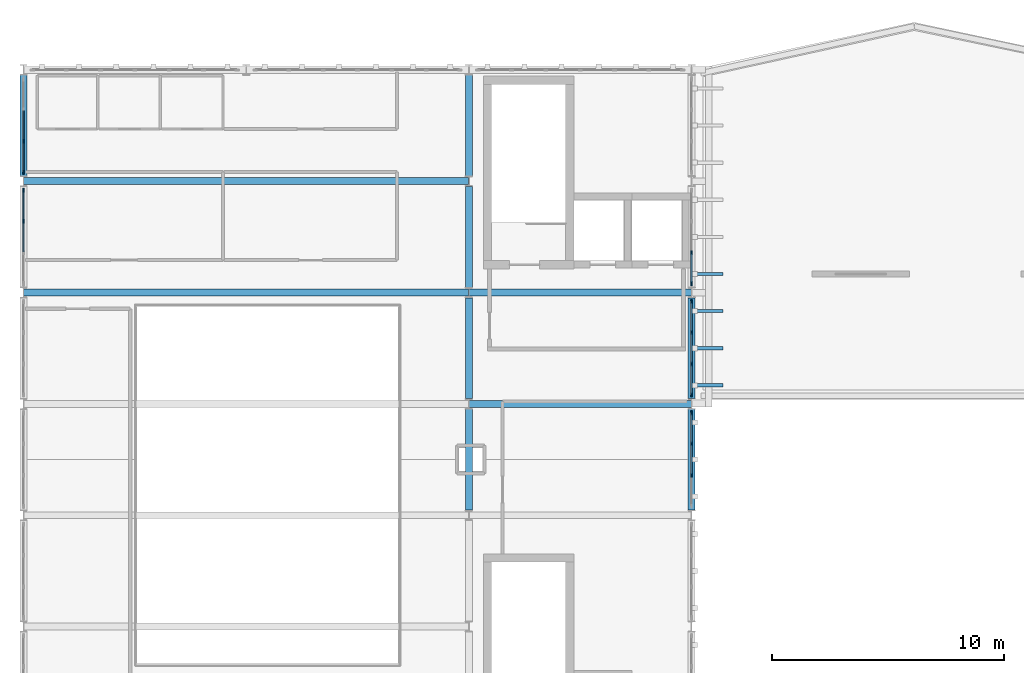
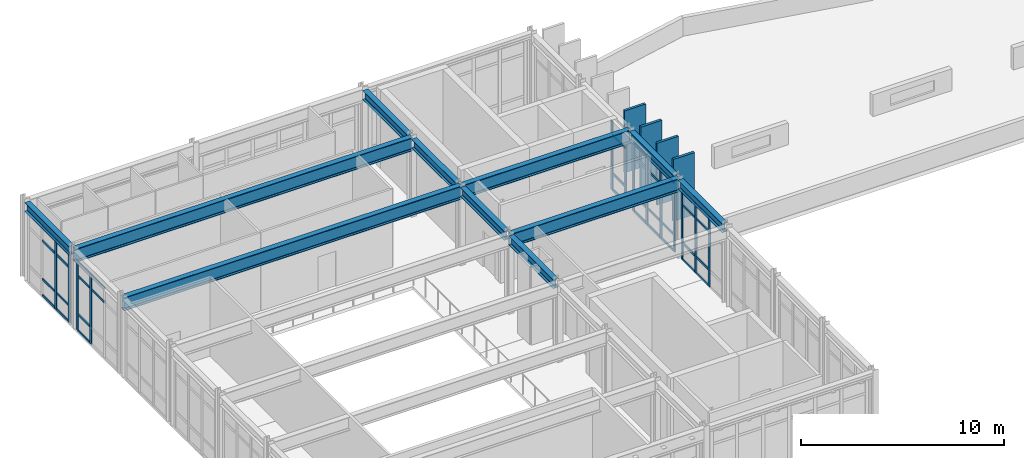
# One storey, part 6 of 16: 54 members, 11 beams, 5 elements without a shape of their own.
"""IFC4 building model written with IfcOpenShell, lengths in metres."""

from ifc_helpers import new_model, si_unit, direction, frame, origin, origin_2d, place, context, subcontext, project, spatial, rectangle, i_section, extrude, material, layer, layer_set, material_profile, profile_set, type_object, element, aggregate, save


model = new_model("IFC4")

# Units and contexts
model_context = context("Model", 3, precision=1e-05, world=origin(), true_north=direction((0.0, 1.0)))
body_context = subcontext(model_context, "Body", "Model", "MODEL_VIEW")
ifc_project = project(units=[si_unit("LENGTHUNIT", "METRE"), si_unit("AREAUNIT", "SQUARE_METRE"), si_unit("VOLUMEUNIT", "CUBIC_METRE"), si_unit("PLANEANGLEUNIT", "RADIAN"), si_unit("MASSUNIT", "GRAM", prefix="KILO")], contexts=[model_context])

# Site, building, storey
site_placement = place(None, origin())
site = spatial("IfcSite", under=ifc_project, at=site_placement, CompositionType="ELEMENT")
building_placement = place(site_placement, origin())
building = spatial("IfcBuilding", under=site, at=building_placement, Name="Nordkorset Police Headquarters", CompositionType="ELEMENT")
storey_placement = place(building_placement, frame((0.0, 0.0, 31.14990234375)))
storey = spatial("IfcBuildingStorey", under=building, at=storey_placement, Name="L07", CompositionType="ELEMENT", Elevation=31.14990234375)

# Curtain wall, members
ifc_material_1 = material(Name="Aluminium alloy AW-6060", Category="aluminium")
ifc_layer = layer(ifc_material_1, 0.179931640625, Name="Aluminium alloy AW-6060")
ifc_layer_set = layer_set([ifc_layer], Name="Aluminium alloy AW-6060")
curtain_wall_type = type_object("IfcCurtainWallType", Name="CW_Unit_408x415", PredefinedType="USERDEFINED", material=ifc_layer_set)
curtain_wall_1_placement = place(storey_placement, origin())
curtain_wall_1 = element("IfcCurtainWall", 1, at=curtain_wall_1_placement, inside=storey, type_object=curtain_wall_type, Name="Unitised Curtain Wall L07 V1W-5", ObjectType="UNITISED CURTAIN WALL", PredefinedType="USERDEFINED")
ifc_material_2 = material(Name="Aluminium alloy AW-6060", Category="aluminium")
ifc_material_profile_1 = material_profile(ifc_material_2, rectangle(XDim=0.06494140625, YDim=0.179931640625, at=origin_2d()), Name="ALU MULL 65x180")
ifc_profile_set_1 = profile_set([ifc_material_profile_1], Name="Aluminium alloy AW-6060")
member_type_1 = type_object("IfcMemberType", Name="CW_Mullion_65x180", PredefinedType="MULLION", material=ifc_profile_set_1)
member_1_placement = place(storey_placement, frame((0.0, 110.280029296875, 0.0), z_axis=(0.0, 0.0, 1.0), x_axis=(-1.0, 0.0, 0.0)))
member_1 = element("IfcMember", 2, at=member_1_placement, type_object=member_type_1, Name="CW-101 mullion 3", PredefinedType="MULLION", context=body_context, shape_type="SweptSolid", body=[
    extrude(rectangle(XDim=0.06494140625, YDim=0.179931640625, at=origin_2d()), origin(), (0.0, 0.0, 1.0), 4.150146484375),
])
member_2_placement = place(storey_placement, frame((0.0, 111.607421875, 0.0), z_axis=(0.0, 0.0, 1.0), x_axis=(-1.0, 0.0, 0.0)))
member_2 = element("IfcMember", 3, at=member_2_placement, type_object=member_type_1, Name="CW-101 mullion 4", PredefinedType="MULLION", context=body_context, shape_type="SweptSolid", body=[
    extrude(rectangle(XDim=0.06494140625, YDim=0.179931640625, at=origin_2d()), origin(), (0.0, 0.0, 1.0), 4.150146484375),
])

curtain_wall_2_placement = place(storey_placement, origin())
curtain_wall_2 = element("IfcCurtainWall", 4, at=curtain_wall_2_placement, inside=storey, type_object=curtain_wall_type, Name="Unitised Curtain Wall L07 V1W-6", ObjectType="UNITISED CURTAIN WALL", PredefinedType="USERDEFINED")
member_3_placement = place(storey_placement, frame((0.0, 112.392578125, 0.0), z_axis=(0.0, 0.0, 1.0), x_axis=(-1.0, 0.0, 0.0)))
member_3 = element("IfcMember", 5, at=member_3_placement, type_object=member_type_1, Name="CW-101 mullion 1", PredefinedType="MULLION", context=body_context, shape_type="SweptSolid", body=[
    extrude(rectangle(XDim=0.06494140625, YDim=0.179931640625, at=origin_2d()), origin(), (0.0, 0.0, 1.0), 4.150146484375),
])
member_4_placement = place(storey_placement, frame((0.0, 113.719970703125, 0.0), z_axis=(0.0, 0.0, 1.0), x_axis=(-1.0, 0.0, 0.0)))
member_4 = element("IfcMember", 6, at=member_4_placement, type_object=member_type_1, Name="CW-101 mullion 2", PredefinedType="MULLION", context=body_context, shape_type="SweptSolid", body=[
    extrude(rectangle(XDim=0.06494140625, YDim=0.179931640625, at=origin_2d()), origin(), (0.0, 0.0, 1.0), 4.150146484375),
])

curtain_wall_3_placement = place(storey_placement, origin())
curtain_wall_3 = element("IfcCurtainWall", 7, at=curtain_wall_3_placement, inside=storey, type_object=curtain_wall_type, Name="Unitised Curtain Wall L07 V1E-3", ObjectType="UNITISED CURTAIN WALL", PredefinedType="USERDEFINED")
member_5_placement = place(storey_placement, frame((28.800048828125, 99.320068359375, 0.0), z_axis=(0.0, 0.0, 1.0), x_axis=(-1.0, 0.0, 0.0)))
member_5 = element("IfcMember", 8, at=member_5_placement, type_object=member_type_1, Name="CW-101 mullion 2", PredefinedType="MULLION", context=body_context, shape_type="SweptSolid", body=[
    extrude(rectangle(XDim=0.06494140625, YDim=0.179931640625, at=origin_2d()), origin(), (0.0, 0.0, 1.0), 4.150146484375),
])
member_6_placement = place(storey_placement, frame((28.800048828125, 100.679931640625, 0.0), z_axis=(0.0, 0.0, 1.0), x_axis=(-1.0, 0.0, 0.0)))
member_6 = element("IfcMember", 9, at=member_6_placement, type_object=member_type_1, Name="CW-101 mullion 3", PredefinedType="MULLION", context=body_context, shape_type="SweptSolid", body=[
    extrude(rectangle(XDim=0.06494140625, YDim=0.179931640625, at=origin_2d()), origin(), (0.0, 0.0, 1.0), 4.150146484375),
])
member_7_placement = place(storey_placement, frame((28.800048828125, 102.007568359375, 0.0), z_axis=(0.0, 0.0, 1.0), x_axis=(-1.0, 0.0, 0.0)))
member_7 = element("IfcMember", 10, at=member_7_placement, type_object=member_type_1, Name="CW-101 mullion 4", PredefinedType="MULLION", context=body_context, shape_type="SweptSolid", body=[
    extrude(rectangle(XDim=0.06494140625, YDim=0.179931640625, at=origin_2d()), origin(), (0.0, 0.0, 1.0), 4.150146484375),
])

curtain_wall_4_placement = place(storey_placement, origin())
curtain_wall_4 = element("IfcCurtainWall", 11, at=curtain_wall_4_placement, inside=storey, type_object=curtain_wall_type, Name="Unitised Curtain Wall L07 V1E-4", ObjectType="UNITISED CURTAIN WALL", PredefinedType="USERDEFINED")
member_8_placement = place(storey_placement, frame((28.800048828125, 102.79248046875, 0.0), z_axis=(0.0, 0.0, 1.0), x_axis=(-1.0, 0.0, 0.0)))
member_8 = element("IfcMember", 12, at=member_8_placement, type_object=member_type_1, Name="CW-101 mullion 1", PredefinedType="MULLION", context=body_context, shape_type="SweptSolid", body=[
    extrude(rectangle(XDim=0.06494140625, YDim=0.179931640625, at=origin_2d()), origin(), (0.0, 0.0, 1.0), 4.150146484375),
])
member_9_placement = place(storey_placement, frame((28.800048828125, 104.1201171875, 0.0), z_axis=(0.0, 0.0, 1.0), x_axis=(-1.0, 0.0, 0.0)))
member_9 = element("IfcMember", 13, at=member_9_placement, type_object=member_type_1, Name="CW-101 mullion 2", PredefinedType="MULLION", context=body_context, shape_type="SweptSolid", body=[
    extrude(rectangle(XDim=0.06494140625, YDim=0.179931640625, at=origin_2d()), origin(), (0.0, 0.0, 1.0), 4.150146484375),
])
member_10_placement = place(storey_placement, frame((28.800048828125, 105.47998046875, 0.0), z_axis=(0.0, 0.0, 1.0), x_axis=(-1.0, 0.0, 0.0)))
member_10 = element("IfcMember", 14, at=member_10_placement, type_object=member_type_1, Name="CW-101 mullion 3", PredefinedType="MULLION", context=body_context, shape_type="SweptSolid", body=[
    extrude(rectangle(XDim=0.06494140625, YDim=0.179931640625, at=origin_2d()), origin(), (0.0, 0.0, 1.0), 4.150146484375),
])
member_11_placement = place(storey_placement, frame((28.800048828125, 106.8076171875, 0.0), z_axis=(0.0, 0.0, 1.0), x_axis=(-1.0, 0.0, 0.0)))
member_11 = element("IfcMember", 15, at=member_11_placement, type_object=member_type_1, Name="CW-101 mullion 4", PredefinedType="MULLION", context=body_context, shape_type="SweptSolid", body=[
    extrude(rectangle(XDim=0.06494140625, YDim=0.179931640625, at=origin_2d()), origin(), (0.0, 0.0, 1.0), 4.150146484375),
])

curtain_wall_5_placement = place(storey_placement, origin())
curtain_wall_5 = element("IfcCurtainWall", 16, at=curtain_wall_5_placement, inside=storey, type_object=curtain_wall_type, Name="Unitised Curtain Wall L07 V1E-5", ObjectType="UNITISED CURTAIN WALL", PredefinedType="USERDEFINED")
member_12_placement = place(storey_placement, frame((28.800048828125, 107.592529296875, 0.0), z_axis=(0.0, 0.0, 1.0), x_axis=(-1.0, 0.0, 0.0)))
member_12 = element("IfcMember", 17, at=member_12_placement, type_object=member_type_1, Name="CW-101 mullion 1", PredefinedType="MULLION", context=body_context, shape_type="SweptSolid", body=[
    extrude(rectangle(XDim=0.06494140625, YDim=0.179931640625, at=origin_2d()), origin(), (0.0, 0.0, 1.0), 4.150146484375),
])
member_13_placement = place(storey_placement, frame((28.800048828125, 108.919921875, 0.0), z_axis=(0.0, 0.0, 1.0), x_axis=(-1.0, 0.0, 0.0)))
member_13 = element("IfcMember", 18, at=member_13_placement, type_object=member_type_1, Name="CW-101 mullion 2", PredefinedType="MULLION", context=body_context, shape_type="SweptSolid", body=[
    extrude(rectangle(XDim=0.06494140625, YDim=0.179931640625, at=origin_2d()), origin(), (0.0, 0.0, 1.0), 4.150146484375),
])

# Member
ifc_material_3 = material(Name="Aluminium alloy AW-6060", Category="aluminium")
ifc_material_profile_2 = material_profile(ifc_material_3, rectangle(XDim=0.06494140625, YDim=0.139892578125, at=origin_2d()), Name="ALU TRAN 65x140")
ifc_profile_set_2 = profile_set([ifc_material_profile_2], Name="Aluminium alloy AW-6060")
member_type_2 = type_object("IfcMemberType", Name="CW_Transom_65x140", PredefinedType="USERDEFINED", material=ifc_profile_set_2)
member_14_placement = place(storey_placement, frame((0.0, 108.952392578125, 3.300048828125), z_axis=(0.0, 1.0, 0.0), x_axis=(-1.0, 0.0, 0.0)))
member_14 = element("IfcMember", 19, at=member_14_placement, type_object=member_type_2, Name="CW-101 transom 2.3", ObjectType="TRANSOM", PredefinedType="USERDEFINED", context=body_context, shape_type="SweptSolid", body=[
    extrude(rectangle(XDim=0.06494140625, YDim=0.139892578125, at=origin_2d()), origin(), (0.0, 0.0, 1.0), 1.295166015625),
])

member_15_placement = place(storey_placement, frame((0.0, 108.952392578125, 4.11767578125), z_axis=(0.0, 1.0, 0.0), x_axis=(-1.0, 0.0, 0.0)))
member_15 = element("IfcMember", 20, at=member_15_placement, type_object=member_type_2, Name="CW-101 transom 2.4", ObjectType="TRANSOM", PredefinedType="USERDEFINED", context=body_context, shape_type="SweptSolid", body=[
    extrude(rectangle(XDim=0.06494140625, YDim=0.139892578125, at=origin_2d()), origin(), (0.0, 0.0, 1.0), 1.295166015625),
])

member_16_placement = place(storey_placement, frame((0.0, 110.3125, 0.03271484375), z_axis=(0.0, 1.0, 0.0), x_axis=(-1.0, 0.0, 0.0)))
member_16 = element("IfcMember", 21, at=member_16_placement, type_object=member_type_2, Name="CW-101 transom 3.1", ObjectType="TRANSOM", PredefinedType="USERDEFINED", context=body_context, shape_type="SweptSolid", body=[
    extrude(rectangle(XDim=0.06494140625, YDim=0.139892578125, at=origin_2d()), origin(), (0.0, 0.0, 1.0), 1.262451171875),
])

member_17_placement = place(storey_placement, frame((0.0, 110.3125, 1.0), z_axis=(0.0, 1.0, 0.0), x_axis=(-1.0, 0.0, 0.0)))
member_17 = element("IfcMember", 22, at=member_17_placement, type_object=member_type_2, Name="CW-101 transom 3.2", ObjectType="TRANSOM", PredefinedType="USERDEFINED", context=body_context, shape_type="SweptSolid", body=[
    extrude(rectangle(XDim=0.06494140625, YDim=0.139892578125, at=origin_2d()), origin(), (0.0, 0.0, 1.0), 1.262451171875),
])

member_18_placement = place(storey_placement, frame((0.0, 110.3125, 3.300048828125), z_axis=(0.0, 1.0, 0.0), x_axis=(-1.0, 0.0, 0.0)))
member_18 = element("IfcMember", 23, at=member_18_placement, type_object=member_type_2, Name="CW-101 transom 3.3", ObjectType="TRANSOM", PredefinedType="USERDEFINED", context=body_context, shape_type="SweptSolid", body=[
    extrude(rectangle(XDim=0.06494140625, YDim=0.139892578125, at=origin_2d()), origin(), (0.0, 0.0, 1.0), 1.262451171875),
])

member_19_placement = place(storey_placement, frame((0.0, 110.3125, 4.11767578125), z_axis=(0.0, 1.0, 0.0), x_axis=(-1.0, 0.0, 0.0)))
member_19 = element("IfcMember", 24, at=member_19_placement, type_object=member_type_2, Name="CW-101 transom 3.4", ObjectType="TRANSOM", PredefinedType="USERDEFINED", context=body_context, shape_type="SweptSolid", body=[
    extrude(rectangle(XDim=0.06494140625, YDim=0.139892578125, at=origin_2d()), origin(), (0.0, 0.0, 1.0), 1.262451171875),
])

aggregate(curtain_wall_1, [member_1, member_2, member_14, member_15, member_16, member_17, member_18, member_19])

member_20_placement = place(storey_placement, frame((0.0, 112.425048828125, 0.03271484375), z_axis=(0.0, 1.0, 0.0), x_axis=(-1.0, 0.0, 0.0)))
member_20 = element("IfcMember", 25, at=member_20_placement, type_object=member_type_2, Name="CW-101 transom 1.1", ObjectType="TRANSOM", PredefinedType="USERDEFINED", context=body_context, shape_type="SweptSolid", body=[
    extrude(rectangle(XDim=0.06494140625, YDim=0.139892578125, at=origin_2d()), origin(), (0.0, 0.0, 1.0), 1.262451171875),
])

member_21_placement = place(storey_placement, frame((0.0, 112.425048828125, 1.0), z_axis=(0.0, 1.0, 0.0), x_axis=(-1.0, 0.0, 0.0)))
member_21 = element("IfcMember", 26, at=member_21_placement, type_object=member_type_2, Name="CW-101 transom 1.2", ObjectType="TRANSOM", PredefinedType="USERDEFINED", context=body_context, shape_type="SweptSolid", body=[
    extrude(rectangle(XDim=0.06494140625, YDim=0.139892578125, at=origin_2d()), origin(), (0.0, 0.0, 1.0), 1.262451171875),
])

member_22_placement = place(storey_placement, frame((0.0, 112.425048828125, 3.300048828125), z_axis=(0.0, 1.0, 0.0), x_axis=(-1.0, 0.0, 0.0)))
member_22 = element("IfcMember", 27, at=member_22_placement, type_object=member_type_2, Name="CW-101 transom 1.3", ObjectType="TRANSOM", PredefinedType="USERDEFINED", context=body_context, shape_type="SweptSolid", body=[
    extrude(rectangle(XDim=0.06494140625, YDim=0.139892578125, at=origin_2d()), origin(), (0.0, 0.0, 1.0), 1.262451171875),
])

member_23_placement = place(storey_placement, frame((0.0, 112.425048828125, 4.11767578125), z_axis=(0.0, 1.0, 0.0), x_axis=(-1.0, 0.0, 0.0)))
member_23 = element("IfcMember", 28, at=member_23_placement, type_object=member_type_2, Name="CW-101 transom 1.4", ObjectType="TRANSOM", PredefinedType="USERDEFINED", context=body_context, shape_type="SweptSolid", body=[
    extrude(rectangle(XDim=0.06494140625, YDim=0.139892578125, at=origin_2d()), origin(), (0.0, 0.0, 1.0), 1.262451171875),
])

member_24_placement = place(storey_placement, frame((0.0, 113.75244140625, 0.03271484375), z_axis=(0.0, 1.0, 0.0), x_axis=(-1.0, 0.0, 0.0)))
member_24 = element("IfcMember", 29, at=member_24_placement, type_object=member_type_2, Name="CW-101 transom 2.1", ObjectType="TRANSOM", PredefinedType="USERDEFINED", context=body_context, shape_type="SweptSolid", body=[
    extrude(rectangle(XDim=0.06494140625, YDim=0.139892578125, at=origin_2d()), origin(), (0.0, 0.0, 1.0), 1.295166015625),
])

member_25_placement = place(storey_placement, frame((0.0, 113.75244140625, 1.0), z_axis=(0.0, 1.0, 0.0), x_axis=(-1.0, 0.0, 0.0)))
member_25 = element("IfcMember", 30, at=member_25_placement, type_object=member_type_2, Name="CW-101 transom 2.2", ObjectType="TRANSOM", PredefinedType="USERDEFINED", context=body_context, shape_type="SweptSolid", body=[
    extrude(rectangle(XDim=0.06494140625, YDim=0.139892578125, at=origin_2d()), origin(), (0.0, 0.0, 1.0), 1.295166015625),
])

member_26_placement = place(storey_placement, frame((0.0, 113.75244140625, 3.300048828125), z_axis=(0.0, 1.0, 0.0), x_axis=(-1.0, 0.0, 0.0)))
member_26 = element("IfcMember", 31, at=member_26_placement, type_object=member_type_2, Name="CW-101 transom 2.3", ObjectType="TRANSOM", PredefinedType="USERDEFINED", context=body_context, shape_type="SweptSolid", body=[
    extrude(rectangle(XDim=0.06494140625, YDim=0.139892578125, at=origin_2d()), origin(), (0.0, 0.0, 1.0), 1.295166015625),
])

member_27_placement = place(storey_placement, frame((0.0, 113.75244140625, 4.11767578125), z_axis=(0.0, 1.0, 0.0), x_axis=(-1.0, 0.0, 0.0)))
member_27 = element("IfcMember", 32, at=member_27_placement, type_object=member_type_2, Name="CW-101 transom 2.4", ObjectType="TRANSOM", PredefinedType="USERDEFINED", context=body_context, shape_type="SweptSolid", body=[
    extrude(rectangle(XDim=0.06494140625, YDim=0.139892578125, at=origin_2d()), origin(), (0.0, 0.0, 1.0), 1.295166015625),
])

aggregate(curtain_wall_2, [member_3, member_4, member_20, member_21, member_22, member_23, member_24, member_25, member_26, member_27])

member_28_placement = place(storey_placement, frame((28.800048828125, 99.3525390625, 0.03271484375), z_axis=(0.0, 1.0, 0.0), x_axis=(-1.0, 0.0, 0.0)))
member_28 = element("IfcMember", 33, at=member_28_placement, type_object=member_type_2, Name="CW-101 transom 2.1", ObjectType="TRANSOM", PredefinedType="USERDEFINED", context=body_context, shape_type="SweptSolid", body=[
    extrude(rectangle(XDim=0.06494140625, YDim=0.139892578125, at=origin_2d()), origin(), (0.0, 0.0, 1.0), 1.294921875),
])

member_29_placement = place(storey_placement, frame((28.800048828125, 99.3525390625, 1.0), z_axis=(0.0, 1.0, 0.0), x_axis=(-1.0, 0.0, 0.0)))
member_29 = element("IfcMember", 34, at=member_29_placement, type_object=member_type_2, Name="CW-101 transom 2.2", ObjectType="TRANSOM", PredefinedType="USERDEFINED", context=body_context, shape_type="SweptSolid", body=[
    extrude(rectangle(XDim=0.06494140625, YDim=0.139892578125, at=origin_2d()), origin(), (0.0, 0.0, 1.0), 1.294921875),
])

member_30_placement = place(storey_placement, frame((28.800048828125, 99.3525390625, 3.300048828125), z_axis=(0.0, 1.0, 0.0), x_axis=(-1.0, 0.0, 0.0)))
member_30 = element("IfcMember", 35, at=member_30_placement, type_object=member_type_2, Name="CW-101 transom 2.3", ObjectType="TRANSOM", PredefinedType="USERDEFINED", context=body_context, shape_type="SweptSolid", body=[
    extrude(rectangle(XDim=0.06494140625, YDim=0.139892578125, at=origin_2d()), origin(), (0.0, 0.0, 1.0), 1.294921875),
])

member_31_placement = place(storey_placement, frame((28.800048828125, 99.3525390625, 4.11767578125), z_axis=(0.0, 1.0, 0.0), x_axis=(-1.0, 0.0, 0.0)))
member_31 = element("IfcMember", 36, at=member_31_placement, type_object=member_type_2, Name="CW-101 transom 2.4", ObjectType="TRANSOM", PredefinedType="USERDEFINED", context=body_context, shape_type="SweptSolid", body=[
    extrude(rectangle(XDim=0.06494140625, YDim=0.139892578125, at=origin_2d()), origin(), (0.0, 0.0, 1.0), 1.294921875),
])

member_32_placement = place(storey_placement, frame((28.800048828125, 100.71240234375, 0.03271484375), z_axis=(0.0, 1.0, 0.0), x_axis=(-1.0, 0.0, 0.0)))
member_32 = element("IfcMember", 37, at=member_32_placement, type_object=member_type_2, Name="CW-101 transom 3.1", ObjectType="TRANSOM", PredefinedType="USERDEFINED", context=body_context, shape_type="SweptSolid", body=[
    extrude(rectangle(XDim=0.06494140625, YDim=0.139892578125, at=origin_2d()), origin(), (0.0, 0.0, 1.0), 1.2626953125),
])

member_33_placement = place(storey_placement, frame((28.800048828125, 100.71240234375, 1.0), z_axis=(0.0, 1.0, 0.0), x_axis=(-1.0, 0.0, 0.0)))
member_33 = element("IfcMember", 38, at=member_33_placement, type_object=member_type_2, Name="CW-101 transom 3.2", ObjectType="TRANSOM", PredefinedType="USERDEFINED", context=body_context, shape_type="SweptSolid", body=[
    extrude(rectangle(XDim=0.06494140625, YDim=0.139892578125, at=origin_2d()), origin(), (0.0, 0.0, 1.0), 1.2626953125),
])

member_34_placement = place(storey_placement, frame((28.800048828125, 100.71240234375, 3.300048828125), z_axis=(0.0, 1.0, 0.0), x_axis=(-1.0, 0.0, 0.0)))
member_34 = element("IfcMember", 39, at=member_34_placement, type_object=member_type_2, Name="CW-101 transom 3.3", ObjectType="TRANSOM", PredefinedType="USERDEFINED", context=body_context, shape_type="SweptSolid", body=[
    extrude(rectangle(XDim=0.06494140625, YDim=0.139892578125, at=origin_2d()), origin(), (0.0, 0.0, 1.0), 1.2626953125),
])

member_35_placement = place(storey_placement, frame((28.800048828125, 100.71240234375, 4.11767578125), z_axis=(0.0, 1.0, 0.0), x_axis=(-1.0, 0.0, 0.0)))
member_35 = element("IfcMember", 40, at=member_35_placement, type_object=member_type_2, Name="CW-101 transom 3.4", ObjectType="TRANSOM", PredefinedType="USERDEFINED", context=body_context, shape_type="SweptSolid", body=[
    extrude(rectangle(XDim=0.06494140625, YDim=0.139892578125, at=origin_2d()), origin(), (0.0, 0.0, 1.0), 1.2626953125),
])

aggregate(curtain_wall_3, [member_5, member_6, member_7, member_28, member_29, member_30, member_31, member_32, member_33, member_34, member_35])

member_36_placement = place(storey_placement, frame((28.800048828125, 102.824951171875, 0.03271484375), z_axis=(0.0, 1.0, 0.0), x_axis=(-1.0, 0.0, 0.0)))
member_36 = element("IfcMember", 41, at=member_36_placement, type_object=member_type_2, Name="CW-101 transom 1.1", ObjectType="TRANSOM", PredefinedType="USERDEFINED", context=body_context, shape_type="SweptSolid", body=[
    extrude(rectangle(XDim=0.06494140625, YDim=0.139892578125, at=origin_2d()), origin(), (0.0, 0.0, 1.0), 1.262451171875),
])

member_37_placement = place(storey_placement, frame((28.800048828125, 102.824951171875, 1.0), z_axis=(0.0, 1.0, 0.0), x_axis=(-1.0, 0.0, 0.0)))
member_37 = element("IfcMember", 42, at=member_37_placement, type_object=member_type_2, Name="CW-101 transom 1.2", ObjectType="TRANSOM", PredefinedType="USERDEFINED", context=body_context, shape_type="SweptSolid", body=[
    extrude(rectangle(XDim=0.06494140625, YDim=0.139892578125, at=origin_2d()), origin(), (0.0, 0.0, 1.0), 1.262451171875),
])

member_38_placement = place(storey_placement, frame((28.800048828125, 102.824951171875, 3.300048828125), z_axis=(0.0, 1.0, 0.0), x_axis=(-1.0, 0.0, 0.0)))
member_38 = element("IfcMember", 43, at=member_38_placement, type_object=member_type_2, Name="CW-101 transom 1.3", ObjectType="TRANSOM", PredefinedType="USERDEFINED", context=body_context, shape_type="SweptSolid", body=[
    extrude(rectangle(XDim=0.06494140625, YDim=0.139892578125, at=origin_2d()), origin(), (0.0, 0.0, 1.0), 1.262451171875),
])

member_39_placement = place(storey_placement, frame((28.800048828125, 102.824951171875, 4.11767578125), z_axis=(0.0, 1.0, 0.0), x_axis=(-1.0, 0.0, 0.0)))
member_39 = element("IfcMember", 44, at=member_39_placement, type_object=member_type_2, Name="CW-101 transom 1.4", ObjectType="TRANSOM", PredefinedType="USERDEFINED", context=body_context, shape_type="SweptSolid", body=[
    extrude(rectangle(XDim=0.06494140625, YDim=0.139892578125, at=origin_2d()), origin(), (0.0, 0.0, 1.0), 1.262451171875),
])

member_40_placement = place(storey_placement, frame((28.800048828125, 104.152587890625, 0.03271484375), z_axis=(0.0, 1.0, 0.0), x_axis=(-1.0, 0.0, 0.0)))
member_40 = element("IfcMember", 45, at=member_40_placement, type_object=member_type_2, Name="CW-101 transom 2.1", ObjectType="TRANSOM", PredefinedType="USERDEFINED", context=body_context, shape_type="SweptSolid", body=[
    extrude(rectangle(XDim=0.06494140625, YDim=0.139892578125, at=origin_2d()), origin(), (0.0, 0.0, 1.0), 1.294921875),
])

member_41_placement = place(storey_placement, frame((28.800048828125, 104.152587890625, 1.0), z_axis=(0.0, 1.0, 0.0), x_axis=(-1.0, 0.0, 0.0)))
member_41 = element("IfcMember", 46, at=member_41_placement, type_object=member_type_2, Name="CW-101 transom 2.2", ObjectType="TRANSOM", PredefinedType="USERDEFINED", context=body_context, shape_type="SweptSolid", body=[
    extrude(rectangle(XDim=0.06494140625, YDim=0.139892578125, at=origin_2d()), origin(), (0.0, 0.0, 1.0), 1.294921875),
])

member_42_placement = place(storey_placement, frame((28.800048828125, 104.152587890625, 3.300048828125), z_axis=(0.0, 1.0, 0.0), x_axis=(-1.0, 0.0, 0.0)))
member_42 = element("IfcMember", 47, at=member_42_placement, type_object=member_type_2, Name="CW-101 transom 2.3", ObjectType="TRANSOM", PredefinedType="USERDEFINED", context=body_context, shape_type="SweptSolid", body=[
    extrude(rectangle(XDim=0.06494140625, YDim=0.139892578125, at=origin_2d()), origin(), (0.0, 0.0, 1.0), 1.294921875),
])

member_43_placement = place(storey_placement, frame((28.800048828125, 104.152587890625, 4.11767578125), z_axis=(0.0, 1.0, 0.0), x_axis=(-1.0, 0.0, 0.0)))
member_43 = element("IfcMember", 48, at=member_43_placement, type_object=member_type_2, Name="CW-101 transom 2.4", ObjectType="TRANSOM", PredefinedType="USERDEFINED", context=body_context, shape_type="SweptSolid", body=[
    extrude(rectangle(XDim=0.06494140625, YDim=0.139892578125, at=origin_2d()), origin(), (0.0, 0.0, 1.0), 1.294921875),
])

member_44_placement = place(storey_placement, frame((28.800048828125, 105.512451171875, 0.03271484375), z_axis=(0.0, 1.0, 0.0), x_axis=(-1.0, 0.0, 0.0)))
member_44 = element("IfcMember", 49, at=member_44_placement, type_object=member_type_2, Name="CW-101 transom 3.1", ObjectType="TRANSOM", PredefinedType="USERDEFINED", context=body_context, shape_type="SweptSolid", body=[
    extrude(rectangle(XDim=0.06494140625, YDim=0.139892578125, at=origin_2d()), origin(), (0.0, 0.0, 1.0), 1.262451171875),
])

member_45_placement = place(storey_placement, frame((28.800048828125, 105.512451171875, 1.0), z_axis=(0.0, 1.0, 0.0), x_axis=(-1.0, 0.0, 0.0)))
member_45 = element("IfcMember", 50, at=member_45_placement, type_object=member_type_2, Name="CW-101 transom 3.2", ObjectType="TRANSOM", PredefinedType="USERDEFINED", context=body_context, shape_type="SweptSolid", body=[
    extrude(rectangle(XDim=0.06494140625, YDim=0.139892578125, at=origin_2d()), origin(), (0.0, 0.0, 1.0), 1.262451171875),
])

member_46_placement = place(storey_placement, frame((28.800048828125, 105.512451171875, 3.300048828125), z_axis=(0.0, 1.0, 0.0), x_axis=(-1.0, 0.0, 0.0)))
member_46 = element("IfcMember", 51, at=member_46_placement, type_object=member_type_2, Name="CW-101 transom 3.3", ObjectType="TRANSOM", PredefinedType="USERDEFINED", context=body_context, shape_type="SweptSolid", body=[
    extrude(rectangle(XDim=0.06494140625, YDim=0.139892578125, at=origin_2d()), origin(), (0.0, 0.0, 1.0), 1.262451171875),
])

member_47_placement = place(storey_placement, frame((28.800048828125, 105.512451171875, 4.11767578125), z_axis=(0.0, 1.0, 0.0), x_axis=(-1.0, 0.0, 0.0)))
member_47 = element("IfcMember", 52, at=member_47_placement, type_object=member_type_2, Name="CW-101 transom 3.4", ObjectType="TRANSOM", PredefinedType="USERDEFINED", context=body_context, shape_type="SweptSolid", body=[
    extrude(rectangle(XDim=0.06494140625, YDim=0.139892578125, at=origin_2d()), origin(), (0.0, 0.0, 1.0), 1.262451171875),
])

aggregate(curtain_wall_4, [member_8, member_9, member_10, member_11, member_36, member_37, member_38, member_39, member_40, member_41, member_42, member_43, member_44, member_45, member_46, member_47])

member_48_placement = place(storey_placement, frame((28.800048828125, 107.625, 0.03271484375), z_axis=(0.0, 1.0, 0.0), x_axis=(-1.0, 0.0, 0.0)))
member_48 = element("IfcMember", 53, at=member_48_placement, type_object=member_type_2, Name="CW-101 transom 1.1", ObjectType="TRANSOM", PredefinedType="USERDEFINED", context=body_context, shape_type="SweptSolid", body=[
    extrude(rectangle(XDim=0.06494140625, YDim=0.139892578125, at=origin_2d()), origin(), (0.0, 0.0, 1.0), 1.262451171875),
])

member_49_placement = place(storey_placement, frame((28.800048828125, 107.625, 1.0), z_axis=(0.0, 1.0, 0.0), x_axis=(-1.0, 0.0, 0.0)))
member_49 = element("IfcMember", 54, at=member_49_placement, type_object=member_type_2, Name="CW-101 transom 1.2", ObjectType="TRANSOM", PredefinedType="USERDEFINED", context=body_context, shape_type="SweptSolid", body=[
    extrude(rectangle(XDim=0.06494140625, YDim=0.139892578125, at=origin_2d()), origin(), (0.0, 0.0, 1.0), 1.262451171875),
])

member_50_placement = place(storey_placement, frame((28.800048828125, 107.625, 3.300048828125), z_axis=(0.0, 1.0, 0.0), x_axis=(-1.0, 0.0, 0.0)))
member_50 = element("IfcMember", 55, at=member_50_placement, type_object=member_type_2, Name="CW-101 transom 1.3", ObjectType="TRANSOM", PredefinedType="USERDEFINED", context=body_context, shape_type="SweptSolid", body=[
    extrude(rectangle(XDim=0.06494140625, YDim=0.139892578125, at=origin_2d()), origin(), (0.0, 0.0, 1.0), 1.262451171875),
])

aggregate(curtain_wall_5, [member_12, member_13, member_48, member_49, member_50])

# Beams
ifc_material_4 = material(Name="Steel S355J2", Category="steel")
ifc_material_profile_3 = material_profile(ifc_material_4, i_section(OverallWidth=0.300048828125, OverallDepth=0.5400390625, WebThickness=0.012451171875, FlangeThickness=0.02392578125, FilletRadius=0.027099609375, at=origin_2d()), Name="HEA 550")
ifc_profile_set_3 = profile_set([ifc_material_profile_3], Name="Steel S355J2")
beam_type_1 = type_object("IfcBeamType", Name="Girder_HEA_550", PredefinedType="USERDEFINED", material=ifc_profile_set_3)
beam_1_placement = place(storey_placement, frame((0.0, 112.22509765625, 4.440185546875), z_axis=(0.0, 1.0, 0.0), x_axis=(-1.0, 0.0, 0.0)))
element("IfcBeam", 56, at=beam_1_placement, inside=storey, type_object=beam_type_1, Name="Girder V1 L07 GY-0-6", ObjectType="GIRDER", PredefinedType="USERDEFINED", context=body_context, shape_type="SweptSolid", body=[
    extrude(i_section(OverallWidth=0.300048828125, OverallDepth=0.5400390625, WebThickness=0.012451171875, FlangeThickness=0.02392578125, FilletRadius=0.027099609375, at=origin_2d()), origin(), (0.0, 0.0, 1.0), 4.349853515625),
])
for number, where, z_axis, x_axis, name in (
    (57, (19.199951171875, 97.824951171875, 4.440185546875), (0.0, 1.0, 0.0), (-1.0, 0.0, 0.0), "Girder V1 L07 GY-1-3"),
    (58, (19.199951171875, 102.625, 4.440185546875), (0.0, 1.0, 0.0), (-1.0, 0.0, 0.0), "Girder V1 L07 GY-1-4"),
):
    element("IfcBeam", number, at=place(storey_placement, frame(where, z_axis=z_axis, x_axis=x_axis)), inside=storey, type_object=beam_type_1, Name=name, ObjectType="GIRDER", PredefinedType="USERDEFINED", context=body_context, shape_type="SweptSolid", body=[
        extrude(i_section(OverallWidth=0.300048828125, OverallDepth=0.5400390625, WebThickness=0.012451171875, FlangeThickness=0.02392578125, FilletRadius=0.027099609375, at=origin_2d()), origin(), (0.0, 0.0, 1.0), 4.35009765625),
    ])
for number, where, z_axis, x_axis, name in (
    (59, (19.199951171875, 107.425048828125, 4.440185546875), (0.0, 1.0, 0.0), (-1.0, 0.0, 0.0), "Girder V1 L07 GY-1-5"),
    (60, (19.199951171875, 112.22509765625, 4.440185546875), (0.0, 1.0, 0.0), (-1.0, 0.0, 0.0), "Girder V1 L07 GY-1-6"),
):
    element("IfcBeam", number, at=place(storey_placement, frame(where, z_axis=z_axis, x_axis=x_axis)), inside=storey, type_object=beam_type_1, Name=name, ObjectType="GIRDER", PredefinedType="USERDEFINED", context=body_context, shape_type="SweptSolid", body=[
        extrude(i_section(OverallWidth=0.300048828125, OverallDepth=0.5400390625, WebThickness=0.012451171875, FlangeThickness=0.02392578125, FilletRadius=0.027099609375, at=origin_2d()), origin(), (0.0, 0.0, 1.0), 4.349853515625),
    ])
for number, where, z_axis, x_axis, name in (
    (61, (28.800048828125, 97.824951171875, 4.440185546875), (0.0, 1.0, 0.0), (-1.0, 0.0, 0.0), "Girder V1 L07 GY-2-3"),
    (62, (28.800048828125, 102.625, 4.440185546875), (0.0, 1.0, 0.0), (-1.0, 0.0, 0.0), "Girder V1 L07 GY-2-4"),
):
    element("IfcBeam", number, at=place(storey_placement, frame(where, z_axis=z_axis, x_axis=x_axis)), inside=storey, type_object=beam_type_1, Name=name, ObjectType="GIRDER", PredefinedType="USERDEFINED", context=body_context, shape_type="SweptSolid", body=[
        extrude(i_section(OverallWidth=0.300048828125, OverallDepth=0.5400390625, WebThickness=0.012451171875, FlangeThickness=0.02392578125, FilletRadius=0.027099609375, at=origin_2d()), origin(), (0.0, 0.0, 1.0), 4.35009765625),
    ])
ifc_material_5 = material(Name="Steel S355J2", Category="steel")
ifc_material_profile_4 = material_profile(ifc_material_5, i_section(OverallWidth=0.300048828125, OverallDepth=0.800048828125, WebThickness=0.017578125, FlangeThickness=0.032958984375, FilletRadius=0.030029296875, at=origin_2d()), Name="HEB 800")
ifc_profile_set_4 = profile_set([ifc_material_profile_4], Name="Steel S355J2")
beam_type_2 = type_object("IfcBeamType", Name="Girder_HEB_800", PredefinedType="USERDEFINED", material=ifc_profile_set_4)
beam_2_placement = place(storey_placement, frame((19.20703125, 102.39990234375, 4.31005859375), z_axis=(1.0, 0.0, 0.0), x_axis=(0.0, 1.0, 0.0)))
element("IfcBeam", 63, at=beam_2_placement, inside=storey, type_object=beam_type_2, Name="Girder V1 L07 GX-4-1", ObjectType="GIRDER", PredefinedType="USERDEFINED", context=body_context, shape_type="SweptSolid", body=[
    extrude(i_section(OverallWidth=0.300048828125, OverallDepth=0.800048828125, WebThickness=0.017578125, FlangeThickness=0.032958984375, FilletRadius=0.030029296875, at=origin_2d()), origin(), (0.0, 0.0, 1.0), 9.5859375),
])
beam_3_placement = place(storey_placement, frame((0.007080078125, 107.199951171875, 4.31005859375), z_axis=(1.0, 0.0, 0.0), x_axis=(0.0, 1.0, 0.0)))
element("IfcBeam", 64, at=beam_3_placement, inside=storey, type_object=beam_type_2, Name="Girder V1 L07 GX-5-0", ObjectType="GIRDER", PredefinedType="USERDEFINED", context=body_context, shape_type="SweptSolid", body=[
    extrude(i_section(OverallWidth=0.300048828125, OverallDepth=0.800048828125, WebThickness=0.017578125, FlangeThickness=0.032958984375, FilletRadius=0.030029296875, at=origin_2d()), origin(), (0.0, 0.0, 1.0), 19.18603515625),
])
beam_4_placement = place(storey_placement, frame((19.20703125, 107.199951171875, 4.31005859375), z_axis=(1.0, 0.0, 0.0), x_axis=(0.0, 1.0, 0.0)))
element("IfcBeam", 65, at=beam_4_placement, inside=storey, type_object=beam_type_2, Name="Girder V1 L07 GX-5-1", ObjectType="GIRDER", PredefinedType="USERDEFINED", context=body_context, shape_type="SweptSolid", body=[
    extrude(i_section(OverallWidth=0.300048828125, OverallDepth=0.800048828125, WebThickness=0.017578125, FlangeThickness=0.032958984375, FilletRadius=0.030029296875, at=origin_2d()), origin(), (0.0, 0.0, 1.0), 9.5859375),
])
beam_5_placement = place(storey_placement, frame((0.007080078125, 112.0, 4.31005859375), z_axis=(1.0, 0.0, 0.0), x_axis=(0.0, 1.0, 0.0)))
element("IfcBeam", 66, at=beam_5_placement, inside=storey, type_object=beam_type_2, Name="Girder V1 L07 GX-6-0", ObjectType="GIRDER", PredefinedType="USERDEFINED", context=body_context, shape_type="SweptSolid", body=[
    extrude(i_section(OverallWidth=0.300048828125, OverallDepth=0.800048828125, WebThickness=0.017578125, FlangeThickness=0.032958984375, FilletRadius=0.030029296875, at=origin_2d()), origin(), (0.0, 0.0, 1.0), 19.18603515625),
])

# Members
ifc_material_6 = material(Name="Glulam GL30c", Category="wood")
ifc_material_profile_5 = material_profile(ifc_material_6, rectangle(XDim=0.139892578125, YDim=1.199951171875, at=origin_2d()), Name="GL30C FIN 140x1200")
ifc_profile_set_5 = profile_set([ifc_material_profile_5], Name="Glulam GL30c")
member_type_3 = type_object("IfcMemberType", Name="Member_GlulamFin_140x1200", PredefinedType="USERDEFINED", material=ifc_profile_set_5)
for number, where, z_axis, x_axis, name in (
    (67, (29.550048828125, 103.199951171875, 1.53515625), (0.0, 0.0, 1.0), (0.0, 1.0, 0.0), "Vertical Glulam Timber Fin East 034"),
    (68, (29.550048828125, 104.800048828125, 1.53515625), (0.0, 0.0, 1.0), (0.0, 1.0, 0.0), "Vertical Glulam Timber Fin East 035"),
    (69, (29.550048828125, 106.39990234375, 1.53515625), (0.0, 0.0, 1.0), (0.0, 1.0, 0.0), "Vertical Glulam Timber Fin East 036"),
    (70, (29.550048828125, 108.0, 1.53515625), (0.0, 0.0, 1.0), (0.0, 1.0, 0.0), "Vertical Glulam Timber Fin East 037"),
):
    element("IfcMember", number, at=place(storey_placement, frame(where, z_axis=z_axis, x_axis=x_axis)), inside=storey, type_object=member_type_3, Name=name, ObjectType="VERTICAL TIMBER FIN", PredefinedType="USERDEFINED", context=body_context, shape_type="SweptSolid", body=[
        extrude(rectangle(XDim=0.139892578125, YDim=1.199951171875, at=origin_2d()), origin(), (0.0, 0.0, 1.0), 3.724853515625),
    ])

save(model, "model.ifc")
